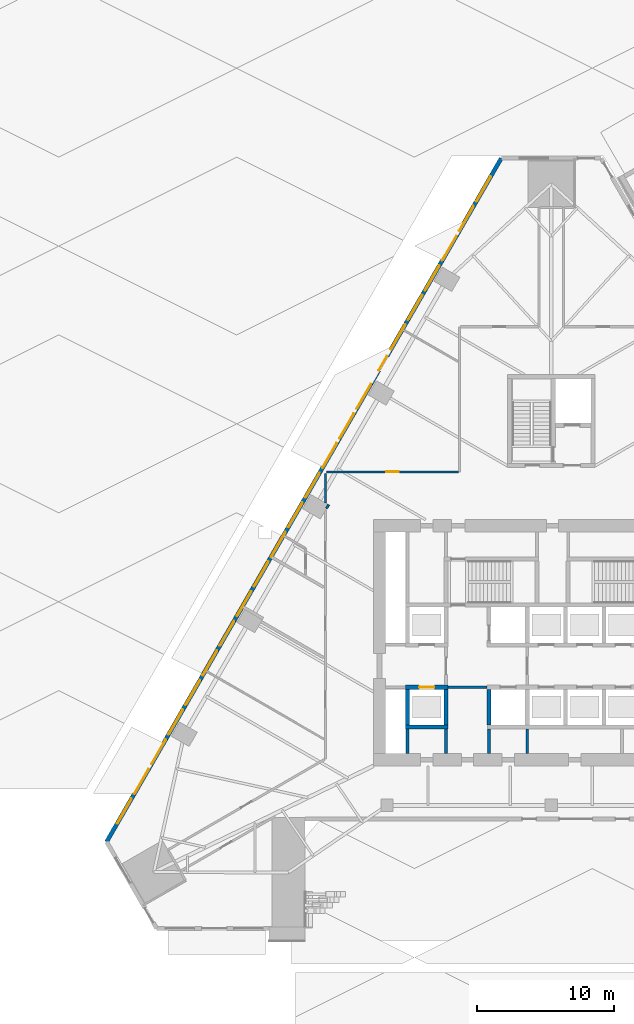
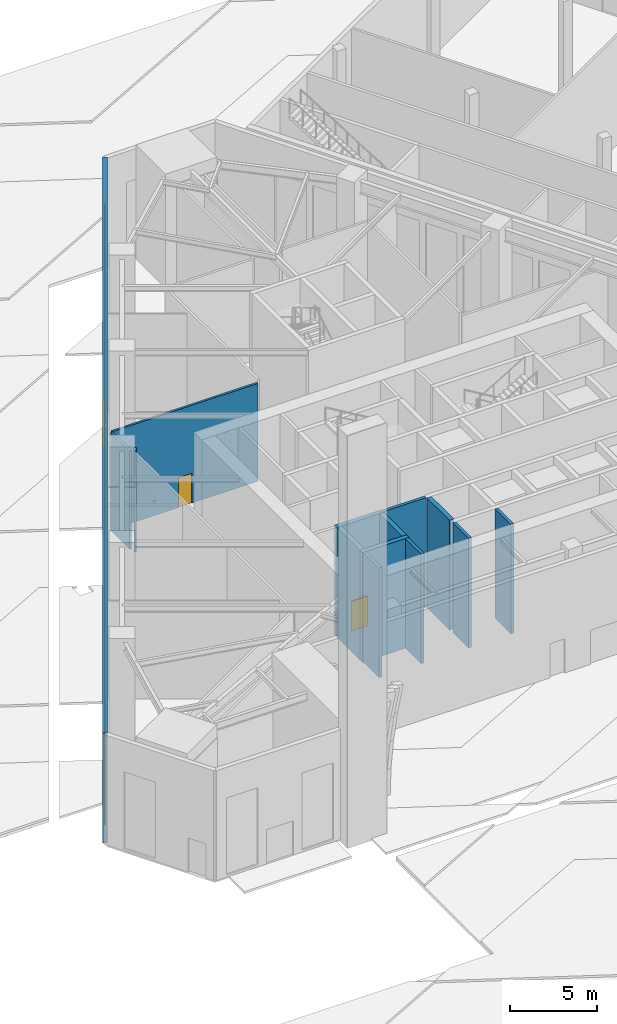
# One storey, part 13 of 34: 21 windows, 14 walls, 3 doors, 24 openings.
"""IFC4 building model written with IfcOpenShell, lengths in metres."""

from ifc_helpers import new_model, si_unit, direction, frame, frame_2d, origin, place, context, subcontext, project, spatial, rectangle, extrude, material, layer, layer_set, type_object, element, fill, save


model = new_model("IFC4")

# Units and contexts
model_context = context("Model", 3, precision=1e-05, world=origin(), true_north=direction((0.0, 1.0)))
body_context = subcontext(model_context, "Body", "Model", "MODEL_VIEW")
ifc_project = project(units=[si_unit("LENGTHUNIT", "METRE"), si_unit("AREAUNIT", "SQUARE_METRE"), si_unit("VOLUMEUNIT", "CUBIC_METRE"), si_unit("PLANEANGLEUNIT", "RADIAN"), si_unit("MASSUNIT", "GRAM", prefix="KILO")], contexts=[model_context])

# Site, building, storey
site_placement = place(None, origin())
site = spatial("IfcSite", under=ifc_project, at=site_placement, CompositionType="ELEMENT")
building_placement = place(site_placement, origin())
building = spatial("IfcBuilding", under=site, at=building_placement, Name="Firuza Gate Tower and Library", CompositionType="ELEMENT")
storey_placement = place(building_placement, origin())
storey = spatial("IfcBuildingStorey", under=building, at=storey_placement, Name="L00", CompositionType="ELEMENT", Elevation=0.0)

# Walls
ifc_material_1 = material(Name="Plasterboard on steel studs", Category="steel")
ifc_layer_1 = layer(ifc_material_1, 0.199951171875)
ifc_layer_set_1 = layer_set([ifc_layer_1], Name="Core partition 200 EI 120")
wall_type_1 = type_object("IfcWallType", Name="Core partition 200 EI 120", PredefinedType="PARTITIONING", material=ifc_layer_set_1)
wall_1_placement = place(storey_placement, frame((67.449951171875, 71.75, 0.0), z_axis=(0.0, 0.0, 1.0), x_axis=(1.0, 0.0, 0.0)))
element("IfcWall", 1, at=wall_1_placement, inside=storey, type_object=wall_type_1, Name="Core partition L00 2", PredefinedType="PARTITIONING", context=body_context, shape_type="SweptSolid", body=[
    extrude(rectangle(XDim=2.85009765625, YDim=0.199951171875, at=frame_2d((1.425048828125, 0.0))), origin(), (0.0, 0.0, 1.0), 7.699951171875),
])
for number, where, z_axis, x_axis, name in (
    (2, (64.5, 66.89990234375, 0.0), (0.0, 0.0, 1.0), (0.0, 1.0, 0.0), "Core partition L00 5"),
    (3, (67.300048828125, 66.89990234375, 0.0), (0.0, 0.0, 1.0), (0.0, 1.0, 0.0), "Core partition L00 7"),
    (4, (70.449951171875, 66.89990234375, 0.0), (0.0, 0.0, 1.0), (0.0, 1.0, 0.0), "Core partition L00 10"),
    (5, (73.25, 66.89990234375, 0.0), (0.0, 0.0, 1.0), (0.0, 1.0, 0.0), "Core partition L00 11"),
):
    element("IfcWall", number, at=place(storey_placement, frame(where, z_axis=z_axis, x_axis=x_axis)), inside=storey, type_object=wall_type_1, Name=name, PredefinedType="PARTITIONING", context=body_context, shape_type="SweptSolid", body=[
        extrude(rectangle(XDim=1.800048828125, YDim=0.199951171875, at=frame_2d((0.89990234375, 0.0))), origin(), (0.0, 0.0, 1.0), 7.699951171875),
    ])
ifc_material_2 = material(Name="Concrete C80/95", Category="concrete")
ifc_layer_2 = layer(ifc_material_2, 0.300048828125)
ifc_layer_set_2 = layer_set([ifc_layer_2], Name="Core wall 300 C80/95")
wall_type_2 = type_object("IfcWallType", Name="Core wall 300 C80/95", PredefinedType="SHEAR", material=ifc_layer_set_2)
wall_2_placement = place(storey_placement, frame((64.35009765625, 68.85009765625, 0.0), z_axis=(0.0, 0.0, 1.0), x_axis=(1.0, 0.0, 0.0)))
element("IfcWall", 6, at=wall_2_placement, inside=storey, type_object=wall_type_2, Name="Core wall L00 5", PredefinedType="SHEAR", context=body_context, shape_type="SweptSolid", body=[
    extrude(rectangle(XDim=3.099853515625, YDim=0.300048828125, at=frame_2d((1.5498046875, 0.0))), origin(), (0.0, 0.0, 1.0), 7.699951171875),
])

# Wall, opening, door
wall_3_placement = place(storey_placement, frame((64.35009765625, 71.75, 0.0), z_axis=(0.0, 0.0, 1.0), x_axis=(1.0, 0.0, 0.0)))
wall_3 = element("IfcWall", 7, at=wall_3_placement, inside=storey, type_object=wall_type_2, Name="Core wall L00 7", PredefinedType="SHEAR", context=body_context, shape_type="SweptSolid", body=[
    extrude(rectangle(XDim=3.099853515625, YDim=0.300048828125, at=frame_2d((1.5498046875, 0.0))), origin(), (0.0, 0.0, 1.0), 7.699951171875),
])
opening_1_placement = place(wall_3_placement, frame((1.0, 0.0, 0.0)))
opening_1 = element("IfcOpeningElement", 8, at=opening_1_placement, cuts=wall_3, Name="Opening LD-SA1-L00", PredefinedType="OPENING", context=body_context, shape_type="SweptSolid", body=[
    extrude(rectangle(XDim=1.10009765625, YDim=2.10009765625, at=frame_2d((0.550048828125, 1.050048828125))), frame((0.0, 0.16015625, 0.0), z_axis=(0.0, -1.0, 0.0), x_axis=(1.0, 0.0, 0.0)), (0.0, 0.0, 1.0), 0.320068359375),
])
ifc_material_3 = material(Name="Stainless steel", Category="steel")
door_type_1 = type_object("IfcDoorType", Name="Lift landing door 1100x2100", OperationType="DOUBLE_DOOR_SLIDING", PredefinedType="DOOR", material=ifc_material_3)
door_1_placement = place(opening_1_placement, origin())
door_1 = element("IfcDoor", 9, at=door_1_placement, inside=storey, type_object=door_type_1, Name="Landing door SA1 L00", OperationType="DOUBLE_DOOR_SLIDING", OverallHeight=2.10009765625, OverallWidth=1.10009765625, PredefinedType="DOOR", context=body_context, shape_type="SweptSolid", body=[
    extrude(rectangle(XDim=1.10009765625, YDim=2.10009765625, at=frame_2d((0.550048828125, 1.050048828125))), frame((0.0, 0.02490234375, 0.0), z_axis=(0.0, -1.0, 0.0), x_axis=(1.0, 0.0, 0.0)), (0.0, 0.0, 1.0), 0.050048828125),
])
fill(opening_1, door_1)

# Walls
for number, where, z_axis, x_axis, name in (
    (10, (64.5, 69.0, 0.0), (0.0, 0.0, 1.0), (0.0, 1.0, 0.0), "Core wall L00 11"),
    (11, (67.300048828125, 69.0, 0.0), (0.0, 0.0, 1.0), (0.0, 1.0, 0.0), "Core wall L00 13"),
    (12, (70.449951171875, 69.0, 0.0), (0.0, 0.0, 1.0), (0.0, 1.0, 0.0), "Core wall L00 15"),
):
    element("IfcWall", number, at=place(storey_placement, frame(where, z_axis=z_axis, x_axis=x_axis)), inside=storey, type_object=wall_type_2, Name=name, PredefinedType="SHEAR", context=body_context, shape_type="SweptSolid", body=[
        extrude(rectangle(XDim=2.60009765625, YDim=0.300048828125, at=frame_2d((1.300048828125, 0.0))), origin(), (0.0, 0.0, 1.0), 7.699951171875),
    ])

# Wall, opening, door
ifc_material_4 = material(Name="Gypsum board partition")
ifc_layer_3 = layer(ifc_material_4, 0.14990234375)
ifc_layer_set_3 = layer_set([ifc_layer_3], Name="Corridor wall 150 double board on steel studs")
wall_type_3 = type_object("IfcWallType", Name="Corridor wall 150 double board on steel studs", PredefinedType="PARTITIONING", material=ifc_layer_set_3)
wall_4_placement = place(storey_placement, frame((58.563232421875, 87.5, 0.0), z_axis=(0.0, 0.0, 1.0), x_axis=(1.0, 0.0, 0.0)))
wall_4 = element("IfcWall", 13, at=wall_4_placement, inside=storey, type_object=wall_type_3, Name="f:L00:w000", PredefinedType="PARTITIONING", context=body_context, shape_type="SweptSolid", body=[
    extrude(rectangle(XDim=9.661865234375, YDim=0.14990234375, at=frame_2d((4.8310546875, 0.0))), origin(), (0.0, 0.0, 1.0), 6.864990234375),
])
opening_2_placement = place(wall_4_placement, frame((4.380859375, 0.0, 0.0)))
opening_2 = element("IfcOpeningElement", 14, at=opening_2_placement, cuts=wall_4, Name="Opening L00-01", PredefinedType="OPENING", context=body_context, shape_type="SweptSolid", body=[
    extrude(rectangle(XDim=0.89990234375, YDim=2.10009765625, at=frame_2d((0.449951171875, 1.050048828125))), frame((0.0, 0.0849609375, 0.0), z_axis=(0.0, -1.0, 0.0), x_axis=(1.0, 0.0, 0.0)), (0.0, 0.0, 1.0), 0.169921875),
])
ifc_material_5 = material(Name="Steel door and timber leaf", Category="steel")
door_type_2 = type_object("IfcDoorType", Name="Fire door 900 x 2100 steel frame, timber leaf", OperationType="NOTDEFINED", PredefinedType="DOOR", material=ifc_material_5)
door_2_placement = place(opening_2_placement, origin())
door_2 = element("IfcDoor", 15, at=door_2_placement, inside=storey, type_object=door_type_2, Name="f:L00:d001", OperationType="SINGLE_SWING_LEFT", OverallHeight=2.10009765625, OverallWidth=0.89990234375, PredefinedType="DOOR", context=body_context, shape_type="SweptSolid", body=[
    extrude(rectangle(XDim=0.89990234375, YDim=2.10009765625, at=frame_2d((0.449951171875, 1.050048828125))), frame((0.0, 0.02490234375, 0.0), z_axis=(0.0, -1.0, 0.0), x_axis=(1.0, 0.0, 0.0)), (0.0, 0.0, 1.0), 0.050048828125),
])
fill(opening_2, door_2)

# Walls
wall_5_placement = place(storey_placement, frame((58.57470703125, 84.820556640625, 0.0), z_axis=(0.0, 0.0, 1.0), x_axis=(0.500317227461, 0.865842174941, 0.0)))
element("IfcWall", 16, at=wall_5_placement, inside=storey, type_object=wall_type_3, Name="f:L00:w014", PredefinedType="PARTITIONING", context=body_context, shape_type="SweptSolid", body=[
    extrude(rectangle(XDim=0.307861328125, YDim=0.14990234375, at=frame_2d((0.15380859375, 0.0))), origin(), (0.0, 0.0, 1.0), 7.10009765625),
])
wall_6_placement = place(storey_placement, frame((58.5, 85.219482421875, 0.0), z_axis=(0.0, 0.0, 1.0), x_axis=(0.0, 1.0, 0.0)))
element("IfcWall", 17, at=wall_6_placement, inside=storey, type_object=wall_type_3, Name="f:L00:w024", PredefinedType="PARTITIONING", context=body_context, shape_type="SweptSolid", body=[
    extrude(rectangle(XDim=2.169921875, YDim=0.14990234375, at=frame_2d((1.0849609375, 0.0))), origin(), (0.0, 0.0, 1.0), 6.864990234375),
])

# Wall, openings, door, windows
ifc_material_6 = material(Name="Concrete C40/50", Category="concrete")
ifc_layer_4 = layer(ifc_material_6, 0.300048828125)
ifc_layer_set_4 = layer_set([ifc_layer_4], Name="Shopfront wall 300")
wall_type_4 = type_object("IfcWallType", Name="Shopfront wall 300", PredefinedType="SOLIDWALL", material=ifc_layer_set_4)
wall_7_placement = place(storey_placement, frame((71.34814453125, 110.423828125, 0.0), z_axis=(0.0, 0.0, 1.0), x_axis=(-0.500000550228, -0.86602508611, 0.0)))
wall_7 = element("IfcWall", 18, at=wall_7_placement, inside=storey, type_object=wall_type_4, Name="Shopfront wall 9", PredefinedType="SOLIDWALL", context=body_context, shape_type="SweptSolid", body=[
    extrude(rectangle(XDim=57.7041015625, YDim=0.300048828125, at=frame_2d((28.85205078125, 0.0))), origin(), (0.0, 0.0, 1.0), 7.699951171875),
])
opening_3_placement = place(wall_7_placement, frame((16.711181640625, 0.0, 0.0)))
opening_3 = element("IfcOpeningElement", 19, at=opening_3_placement, cuts=wall_7, Name="Opening DR4-002", PredefinedType="OPENING", context=body_context, shape_type="SweptSolid", body=[
    extrude(rectangle(XDim=1.199951171875, YDim=2.39990234375, at=frame_2d((0.60009765625, 1.199951171875))), frame((0.0, 0.16015625, 0.0), z_axis=(0.0, -1.0, 0.0), x_axis=(1.0, 0.0, 0.0)), (0.0, 0.0, 1.0), 0.320068359375),
])
opening_4_placement = place(wall_7_placement, frame((1.552001953125, 0.0, 0.14990234375)))
opening_4 = element("IfcOpeningElement", 20, at=opening_4_placement, cuts=wall_7, Name="Opening WD2-028", PredefinedType="OPENING", context=body_context, shape_type="SweptSolid", body=[
    extrude(rectangle(XDim=2.10009765625, YDim=5.39990234375, at=frame_2d((1.050048828125, 2.699951171875))), frame((0.0, 0.16015625, 0.0), z_axis=(0.0, -1.0, 0.0), x_axis=(1.0, 0.0, 0.0)), (0.0, 0.0, 1.0), 0.320068359375),
])
opening_5_placement = place(wall_7_placement, frame((4.052001953125, 0.0, 0.14990234375)))
opening_5 = element("IfcOpeningElement", 21, at=opening_5_placement, cuts=wall_7, Name="Opening WD2-029", PredefinedType="OPENING", context=body_context, shape_type="SweptSolid", body=[
    extrude(rectangle(XDim=2.10009765625, YDim=5.39990234375, at=frame_2d((1.050048828125, 2.699951171875))), frame((0.0, 0.16015625, 0.0), z_axis=(0.0, -1.0, 0.0), x_axis=(1.0, 0.0, 0.0)), (0.0, 0.0, 1.0), 0.320068359375),
])
opening_6_placement = place(wall_7_placement, frame((6.552001953125, 0.0, 0.14990234375)))
opening_6 = element("IfcOpeningElement", 22, at=opening_6_placement, cuts=wall_7, Name="Opening WD2-030", PredefinedType="OPENING", context=body_context, shape_type="SweptSolid", body=[
    extrude(rectangle(XDim=2.10009765625, YDim=5.39990234375, at=frame_2d((1.050048828125, 2.699951171875))), frame((0.0, 0.16015625, 0.0), z_axis=(0.0, -1.0, 0.0), x_axis=(1.0, 0.0, 0.0)), (0.0, 0.0, 1.0), 0.320068359375),
])
opening_7_placement = place(wall_7_placement, frame((9.052001953125, 0.0, 0.14990234375)))
opening_7 = element("IfcOpeningElement", 23, at=opening_7_placement, cuts=wall_7, Name="Opening WD2-031", PredefinedType="OPENING", context=body_context, shape_type="SweptSolid", body=[
    extrude(rectangle(XDim=2.10009765625, YDim=5.39990234375, at=frame_2d((1.050048828125, 2.699951171875))), frame((0.0, 0.16015625, 0.0), z_axis=(0.0, -1.0, 0.0), x_axis=(1.0, 0.0, 0.0)), (0.0, 0.0, 1.0), 0.320068359375),
])
opening_8_placement = place(wall_7_placement, frame((11.552001953125, 0.0, 0.14990234375)))
opening_8 = element("IfcOpeningElement", 24, at=opening_8_placement, cuts=wall_7, Name="Opening WD2-032", PredefinedType="OPENING", context=body_context, shape_type="SweptSolid", body=[
    extrude(rectangle(XDim=2.10009765625, YDim=5.39990234375, at=frame_2d((1.050048828125, 2.699951171875))), frame((0.0, 0.16015625, 0.0), z_axis=(0.0, -1.0, 0.0), x_axis=(1.0, 0.0, 0.0)), (0.0, 0.0, 1.0), 0.320068359375),
])
opening_9_placement = place(wall_7_placement, frame((14.052001953125, 0.0, 0.14990234375)))
opening_9 = element("IfcOpeningElement", 25, at=opening_9_placement, cuts=wall_7, Name="Opening WD2-033", PredefinedType="OPENING", context=body_context, shape_type="SweptSolid", body=[
    extrude(rectangle(XDim=2.10009765625, YDim=5.39990234375, at=frame_2d((1.050048828125, 2.699951171875))), frame((0.0, 0.16015625, 0.0), z_axis=(0.0, -1.0, 0.0), x_axis=(1.0, 0.0, 0.0)), (0.0, 0.0, 1.0), 0.320068359375),
])
opening_10_placement = place(wall_7_placement, frame((19.052001953125, 0.0, 0.14990234375)))
opening_10 = element("IfcOpeningElement", 26, at=opening_10_placement, cuts=wall_7, Name="Opening WD2-034", PredefinedType="OPENING", context=body_context, shape_type="SweptSolid", body=[
    extrude(rectangle(XDim=2.10009765625, YDim=5.39990234375, at=frame_2d((1.050048828125, 2.699951171875))), frame((0.0, 0.16015625, 0.0), z_axis=(0.0, -1.0, 0.0), x_axis=(1.0, 0.0, 0.0)), (0.0, 0.0, 1.0), 0.320068359375),
])
opening_11_placement = place(wall_7_placement, frame((21.552001953125, 0.0, 0.14990234375)))
opening_11 = element("IfcOpeningElement", 27, at=opening_11_placement, cuts=wall_7, Name="Opening WD2-035", PredefinedType="OPENING", context=body_context, shape_type="SweptSolid", body=[
    extrude(rectangle(XDim=2.10009765625, YDim=5.39990234375, at=frame_2d((1.050048828125, 2.699951171875))), frame((0.0, 0.16015625, 0.0), z_axis=(0.0, -1.0, 0.0), x_axis=(1.0, 0.0, 0.0)), (0.0, 0.0, 1.0), 0.320068359375),
])
opening_12_placement = place(wall_7_placement, frame((24.052001953125, 0.0, 0.14990234375)))
opening_12 = element("IfcOpeningElement", 28, at=opening_12_placement, cuts=wall_7, Name="Opening WD2-036", PredefinedType="OPENING", context=body_context, shape_type="SweptSolid", body=[
    extrude(rectangle(XDim=2.10009765625, YDim=5.39990234375, at=frame_2d((1.050048828125, 2.699951171875))), frame((0.0, 0.16015625, 0.0), z_axis=(0.0, -1.0, 0.0), x_axis=(1.0, 0.0, 0.0)), (0.0, 0.0, 1.0), 0.320068359375),
])
opening_13_placement = place(wall_7_placement, frame((26.552001953125, 0.0, 0.14990234375)))
opening_13 = element("IfcOpeningElement", 29, at=opening_13_placement, cuts=wall_7, Name="Opening WD2-037", PredefinedType="OPENING", context=body_context, shape_type="SweptSolid", body=[
    extrude(rectangle(XDim=2.10009765625, YDim=5.39990234375, at=frame_2d((1.050048828125, 2.699951171875))), frame((0.0, 0.16015625, 0.0), z_axis=(0.0, -1.0, 0.0), x_axis=(1.0, 0.0, 0.0)), (0.0, 0.0, 1.0), 0.320068359375),
])
opening_14_placement = place(wall_7_placement, frame((29.052001953125, 0.0, 0.14990234375)))
opening_14 = element("IfcOpeningElement", 30, at=opening_14_placement, cuts=wall_7, Name="Opening WD2-038", PredefinedType="OPENING", context=body_context, shape_type="SweptSolid", body=[
    extrude(rectangle(XDim=2.10009765625, YDim=5.39990234375, at=frame_2d((1.050048828125, 2.699951171875))), frame((0.0, 0.16015625, 0.0), z_axis=(0.0, -1.0, 0.0), x_axis=(1.0, 0.0, 0.0)), (0.0, 0.0, 1.0), 0.320068359375),
])
opening_15_placement = place(wall_7_placement, frame((31.552001953125, 0.0, 0.14990234375)))
opening_15 = element("IfcOpeningElement", 31, at=opening_15_placement, cuts=wall_7, Name="Opening WD2-039", PredefinedType="OPENING", context=body_context, shape_type="SweptSolid", body=[
    extrude(rectangle(XDim=2.10009765625, YDim=5.39990234375, at=frame_2d((1.050048828125, 2.699951171875))), frame((0.0, 0.16015625, 0.0), z_axis=(0.0, -1.0, 0.0), x_axis=(1.0, 0.0, 0.0)), (0.0, 0.0, 1.0), 0.320068359375),
])
opening_16_placement = place(wall_7_placement, frame((34.052001953125, 0.0, 0.14990234375)))
opening_16 = element("IfcOpeningElement", 32, at=opening_16_placement, cuts=wall_7, Name="Opening WD2-040", PredefinedType="OPENING", context=body_context, shape_type="SweptSolid", body=[
    extrude(rectangle(XDim=2.10009765625, YDim=5.39990234375, at=frame_2d((1.050048828125, 2.699951171875))), frame((0.0, 0.16015625, 0.0), z_axis=(0.0, -1.0, 0.0), x_axis=(1.0, 0.0, 0.0)), (0.0, 0.0, 1.0), 0.320068359375),
])
opening_17_placement = place(wall_7_placement, frame((36.552001953125, 0.0, 0.14990234375)))
opening_17 = element("IfcOpeningElement", 33, at=opening_17_placement, cuts=wall_7, Name="Opening WD2-041", PredefinedType="OPENING", context=body_context, shape_type="SweptSolid", body=[
    extrude(rectangle(XDim=2.10009765625, YDim=5.39990234375, at=frame_2d((1.050048828125, 2.699951171875))), frame((0.0, 0.16015625, 0.0), z_axis=(0.0, -1.0, 0.0), x_axis=(1.0, 0.0, 0.0)), (0.0, 0.0, 1.0), 0.320068359375),
])
opening_18_placement = place(wall_7_placement, frame((39.052001953125, 0.0, 0.14990234375)))
opening_18 = element("IfcOpeningElement", 34, at=opening_18_placement, cuts=wall_7, Name="Opening WD2-042", PredefinedType="OPENING", context=body_context, shape_type="SweptSolid", body=[
    extrude(rectangle(XDim=2.10009765625, YDim=5.39990234375, at=frame_2d((1.050048828125, 2.699951171875))), frame((0.0, 0.16015625, 0.0), z_axis=(0.0, -1.0, 0.0), x_axis=(1.0, 0.0, 0.0)), (0.0, 0.0, 1.0), 0.320068359375),
])
opening_19_placement = place(wall_7_placement, frame((41.552001953125, 0.0, 0.14990234375)))
opening_19 = element("IfcOpeningElement", 35, at=opening_19_placement, cuts=wall_7, Name="Opening WD2-043", PredefinedType="OPENING", context=body_context, shape_type="SweptSolid", body=[
    extrude(rectangle(XDim=2.10009765625, YDim=5.39990234375, at=frame_2d((1.050048828125, 2.699951171875))), frame((0.0, 0.16015625, 0.0), z_axis=(0.0, -1.0, 0.0), x_axis=(1.0, 0.0, 0.0)), (0.0, 0.0, 1.0), 0.320068359375),
])
opening_20_placement = place(wall_7_placement, frame((44.052001953125, 0.0, 0.14990234375)))
opening_20 = element("IfcOpeningElement", 36, at=opening_20_placement, cuts=wall_7, Name="Opening WD2-044", PredefinedType="OPENING", context=body_context, shape_type="SweptSolid", body=[
    extrude(rectangle(XDim=2.10009765625, YDim=5.39990234375, at=frame_2d((1.050048828125, 2.699951171875))), frame((0.0, 0.16015625, 0.0), z_axis=(0.0, -1.0, 0.0), x_axis=(1.0, 0.0, 0.0)), (0.0, 0.0, 1.0), 0.320068359375),
])
opening_21_placement = place(wall_7_placement, frame((46.552001953125, 0.0, 0.14990234375)))
opening_21 = element("IfcOpeningElement", 37, at=opening_21_placement, cuts=wall_7, Name="Opening WD2-045", PredefinedType="OPENING", context=body_context, shape_type="SweptSolid", body=[
    extrude(rectangle(XDim=2.10009765625, YDim=5.39990234375, at=frame_2d((1.050048828125, 2.699951171875))), frame((0.0, 0.16015625, 0.0), z_axis=(0.0, -1.0, 0.0), x_axis=(1.0, 0.0, 0.0)), (0.0, 0.0, 1.0), 0.320068359375),
])
opening_22_placement = place(wall_7_placement, frame((49.052001953125, 0.0, 0.14990234375)))
opening_22 = element("IfcOpeningElement", 38, at=opening_22_placement, cuts=wall_7, Name="Opening WD2-046", PredefinedType="OPENING", context=body_context, shape_type="SweptSolid", body=[
    extrude(rectangle(XDim=2.10009765625, YDim=5.39990234375, at=frame_2d((1.050048828125, 2.699951171875))), frame((0.0, 0.16015625, 0.0), z_axis=(0.0, -1.0, 0.0), x_axis=(1.0, 0.0, 0.0)), (0.0, 0.0, 1.0), 0.320068359375),
])
opening_23_placement = place(wall_7_placement, frame((51.552001953125, 0.0, 0.14990234375)))
opening_23 = element("IfcOpeningElement", 39, at=opening_23_placement, cuts=wall_7, Name="Opening WD2-047", PredefinedType="OPENING", context=body_context, shape_type="SweptSolid", body=[
    extrude(rectangle(XDim=2.10009765625, YDim=5.39990234375, at=frame_2d((1.050048828125, 2.699951171875))), frame((0.0, 0.16015625, 0.0), z_axis=(0.0, -1.0, 0.0), x_axis=(1.0, 0.0, 0.0)), (0.0, 0.0, 1.0), 0.320068359375),
])
opening_24_placement = place(wall_7_placement, frame((54.052001953125, 0.0, 0.14990234375)))
opening_24 = element("IfcOpeningElement", 40, at=opening_24_placement, cuts=wall_7, Name="Opening WD2-048", PredefinedType="OPENING", context=body_context, shape_type="SweptSolid", body=[
    extrude(rectangle(XDim=2.10009765625, YDim=5.39990234375, at=frame_2d((1.050048828125, 2.699951171875))), frame((0.0, 0.16015625, 0.0), z_axis=(0.0, -1.0, 0.0), x_axis=(1.0, 0.0, 0.0)), (0.0, 0.0, 1.0), 0.320068359375),
])
ifc_material_7 = material(Name="Steel S355 and ceramic coating", Category="steel")
door_type_3 = type_object("IfcDoorType", Name="Service door 1200x2400", OperationType="NOTDEFINED", PredefinedType="DOOR", material=ifc_material_7)
door_3_placement = place(opening_3_placement, origin())
door_3 = element("IfcDoor", 41, at=door_3_placement, inside=storey, type_object=door_type_3, Name="Door DR4-9.1", OperationType="SINGLE_SWING_RIGHT", OverallHeight=2.39990234375, OverallWidth=1.199951171875, PredefinedType="DOOR", context=body_context, shape_type="SweptSolid", body=[
    extrude(rectangle(XDim=1.199951171875, YDim=2.39990234375, at=frame_2d((0.60009765625, 1.199951171875))), frame((0.0, 0.02490234375, 0.0), z_axis=(0.0, -1.0, 0.0), x_axis=(1.0, 0.0, 0.0)), (0.0, 0.0, 1.0), 0.050048828125),
])
fill(opening_3, door_3)
ifc_material_8 = material(Name="Aluminium 6063-T6 and glass", Category="aluminium")
window_type = type_object("IfcWindowType", Name="Shopfront window 2100x5400", PartitioningType="SINGLE_PANEL", PredefinedType="WINDOW", material=ifc_material_8)
window_1_placement = place(opening_4_placement, origin())
window_1 = element("IfcWindow", 42, at=window_1_placement, inside=storey, type_object=window_type, Name="e:wall:L00:8/W0", OverallHeight=5.39990234375, OverallWidth=2.10009765625, PartitioningType="SINGLE_PANEL", PredefinedType="WINDOW", context=body_context, shape_type="SweptSolid", body=[
    extrude(rectangle(XDim=2.10009765625, YDim=5.39990234375, at=frame_2d((1.050048828125, 2.699951171875))), frame((0.0, 0.030029296875, 0.0), z_axis=(0.0, -1.0, 0.0), x_axis=(1.0, 0.0, 0.0)), (0.0, 0.0, 1.0), 0.06005859375),
])
fill(opening_4, window_1)
window_2_placement = place(opening_5_placement, origin())
window_2 = element("IfcWindow", 43, at=window_2_placement, inside=storey, type_object=window_type, Name="e:wall:L00:8/W1", OverallHeight=5.39990234375, OverallWidth=2.10009765625, PartitioningType="SINGLE_PANEL", PredefinedType="WINDOW", context=body_context, shape_type="SweptSolid", body=[
    extrude(rectangle(XDim=2.10009765625, YDim=5.39990234375, at=frame_2d((1.050048828125, 2.699951171875))), frame((0.0, 0.030029296875, 0.0), z_axis=(0.0, -1.0, 0.0), x_axis=(1.0, 0.0, 0.0)), (0.0, 0.0, 1.0), 0.06005859375),
])
fill(opening_5, window_2)
window_3_placement = place(opening_6_placement, origin())
window_3 = element("IfcWindow", 44, at=window_3_placement, inside=storey, type_object=window_type, Name="e:wall:L00:8/W2", OverallHeight=5.39990234375, OverallWidth=2.10009765625, PartitioningType="SINGLE_PANEL", PredefinedType="WINDOW", context=body_context, shape_type="SweptSolid", body=[
    extrude(rectangle(XDim=2.10009765625, YDim=5.39990234375, at=frame_2d((1.050048828125, 2.699951171875))), frame((0.0, 0.030029296875, 0.0), z_axis=(0.0, -1.0, 0.0), x_axis=(1.0, 0.0, 0.0)), (0.0, 0.0, 1.0), 0.06005859375),
])
fill(opening_6, window_3)
window_4_placement = place(opening_7_placement, origin())
window_4 = element("IfcWindow", 45, at=window_4_placement, inside=storey, type_object=window_type, Name="e:wall:L00:8/W3", OverallHeight=5.39990234375, OverallWidth=2.10009765625, PartitioningType="SINGLE_PANEL", PredefinedType="WINDOW", context=body_context, shape_type="SweptSolid", body=[
    extrude(rectangle(XDim=2.10009765625, YDim=5.39990234375, at=frame_2d((1.050048828125, 2.699951171875))), frame((0.0, 0.030029296875, 0.0), z_axis=(0.0, -1.0, 0.0), x_axis=(1.0, 0.0, 0.0)), (0.0, 0.0, 1.0), 0.06005859375),
])
fill(opening_7, window_4)
window_5_placement = place(opening_8_placement, origin())
window_5 = element("IfcWindow", 46, at=window_5_placement, inside=storey, type_object=window_type, Name="e:wall:L00:8/W4", OverallHeight=5.39990234375, OverallWidth=2.10009765625, PartitioningType="SINGLE_PANEL", PredefinedType="WINDOW", context=body_context, shape_type="SweptSolid", body=[
    extrude(rectangle(XDim=2.10009765625, YDim=5.39990234375, at=frame_2d((1.050048828125, 2.699951171875))), frame((0.0, 0.030029296875, 0.0), z_axis=(0.0, -1.0, 0.0), x_axis=(1.0, 0.0, 0.0)), (0.0, 0.0, 1.0), 0.06005859375),
])
fill(opening_8, window_5)
window_6_placement = place(opening_9_placement, origin())
window_6 = element("IfcWindow", 47, at=window_6_placement, inside=storey, type_object=window_type, Name="e:wall:L00:8/W5", OverallHeight=5.39990234375, OverallWidth=2.10009765625, PartitioningType="SINGLE_PANEL", PredefinedType="WINDOW", context=body_context, shape_type="SweptSolid", body=[
    extrude(rectangle(XDim=2.10009765625, YDim=5.39990234375, at=frame_2d((1.050048828125, 2.699951171875))), frame((0.0, 0.030029296875, 0.0), z_axis=(0.0, -1.0, 0.0), x_axis=(1.0, 0.0, 0.0)), (0.0, 0.0, 1.0), 0.06005859375),
])
fill(opening_9, window_6)
window_7_placement = place(opening_10_placement, origin())
window_7 = element("IfcWindow", 48, at=window_7_placement, inside=storey, type_object=window_type, Name="e:wall:L00:8/W6", OverallHeight=5.39990234375, OverallWidth=2.10009765625, PartitioningType="SINGLE_PANEL", PredefinedType="WINDOW", context=body_context, shape_type="SweptSolid", body=[
    extrude(rectangle(XDim=2.10009765625, YDim=5.39990234375, at=frame_2d((1.050048828125, 2.699951171875))), frame((0.0, 0.030029296875, 0.0), z_axis=(0.0, -1.0, 0.0), x_axis=(1.0, 0.0, 0.0)), (0.0, 0.0, 1.0), 0.06005859375),
])
fill(opening_10, window_7)
window_8_placement = place(opening_11_placement, origin())
window_8 = element("IfcWindow", 49, at=window_8_placement, inside=storey, type_object=window_type, Name="e:wall:L00:8/W7", OverallHeight=5.39990234375, OverallWidth=2.10009765625, PartitioningType="SINGLE_PANEL", PredefinedType="WINDOW", context=body_context, shape_type="SweptSolid", body=[
    extrude(rectangle(XDim=2.10009765625, YDim=5.39990234375, at=frame_2d((1.050048828125, 2.699951171875))), frame((0.0, 0.030029296875, 0.0), z_axis=(0.0, -1.0, 0.0), x_axis=(1.0, 0.0, 0.0)), (0.0, 0.0, 1.0), 0.06005859375),
])
fill(opening_11, window_8)
window_9_placement = place(opening_12_placement, origin())
window_9 = element("IfcWindow", 50, at=window_9_placement, inside=storey, type_object=window_type, Name="e:wall:L00:8/W8", OverallHeight=5.39990234375, OverallWidth=2.10009765625, PartitioningType="SINGLE_PANEL", PredefinedType="WINDOW", context=body_context, shape_type="SweptSolid", body=[
    extrude(rectangle(XDim=2.10009765625, YDim=5.39990234375, at=frame_2d((1.050048828125, 2.699951171875))), frame((0.0, 0.030029296875, 0.0), z_axis=(0.0, -1.0, 0.0), x_axis=(1.0, 0.0, 0.0)), (0.0, 0.0, 1.0), 0.06005859375),
])
fill(opening_12, window_9)
window_10_placement = place(opening_13_placement, origin())
window_10 = element("IfcWindow", 51, at=window_10_placement, inside=storey, type_object=window_type, Name="e:wall:L00:8/W9", OverallHeight=5.39990234375, OverallWidth=2.10009765625, PartitioningType="SINGLE_PANEL", PredefinedType="WINDOW", context=body_context, shape_type="SweptSolid", body=[
    extrude(rectangle(XDim=2.10009765625, YDim=5.39990234375, at=frame_2d((1.050048828125, 2.699951171875))), frame((0.0, 0.030029296875, 0.0), z_axis=(0.0, -1.0, 0.0), x_axis=(1.0, 0.0, 0.0)), (0.0, 0.0, 1.0), 0.06005859375),
])
fill(opening_13, window_10)
window_11_placement = place(opening_14_placement, origin())
window_11 = element("IfcWindow", 52, at=window_11_placement, inside=storey, type_object=window_type, Name="e:wall:L00:8/W10", OverallHeight=5.39990234375, OverallWidth=2.10009765625, PartitioningType="SINGLE_PANEL", PredefinedType="WINDOW", context=body_context, shape_type="SweptSolid", body=[
    extrude(rectangle(XDim=2.10009765625, YDim=5.39990234375, at=frame_2d((1.050048828125, 2.699951171875))), frame((0.0, 0.030029296875, 0.0), z_axis=(0.0, -1.0, 0.0), x_axis=(1.0, 0.0, 0.0)), (0.0, 0.0, 1.0), 0.06005859375),
])
fill(opening_14, window_11)
window_12_placement = place(opening_15_placement, origin())
window_12 = element("IfcWindow", 53, at=window_12_placement, inside=storey, type_object=window_type, Name="e:wall:L00:8/W11", OverallHeight=5.39990234375, OverallWidth=2.10009765625, PartitioningType="SINGLE_PANEL", PredefinedType="WINDOW", context=body_context, shape_type="SweptSolid", body=[
    extrude(rectangle(XDim=2.10009765625, YDim=5.39990234375, at=frame_2d((1.050048828125, 2.699951171875))), frame((0.0, 0.030029296875, 0.0), z_axis=(0.0, -1.0, 0.0), x_axis=(1.0, 0.0, 0.0)), (0.0, 0.0, 1.0), 0.06005859375),
])
fill(opening_15, window_12)
window_13_placement = place(opening_16_placement, origin())
window_13 = element("IfcWindow", 54, at=window_13_placement, inside=storey, type_object=window_type, Name="e:wall:L00:8/W12", OverallHeight=5.39990234375, OverallWidth=2.10009765625, PartitioningType="SINGLE_PANEL", PredefinedType="WINDOW", context=body_context, shape_type="SweptSolid", body=[
    extrude(rectangle(XDim=2.10009765625, YDim=5.39990234375, at=frame_2d((1.050048828125, 2.699951171875))), frame((0.0, 0.030029296875, 0.0), z_axis=(0.0, -1.0, 0.0), x_axis=(1.0, 0.0, 0.0)), (0.0, 0.0, 1.0), 0.06005859375),
])
fill(opening_16, window_13)
window_14_placement = place(opening_17_placement, origin())
window_14 = element("IfcWindow", 55, at=window_14_placement, inside=storey, type_object=window_type, Name="e:wall:L00:8/W13", OverallHeight=5.39990234375, OverallWidth=2.10009765625, PartitioningType="SINGLE_PANEL", PredefinedType="WINDOW", context=body_context, shape_type="SweptSolid", body=[
    extrude(rectangle(XDim=2.10009765625, YDim=5.39990234375, at=frame_2d((1.050048828125, 2.699951171875))), frame((0.0, 0.030029296875, 0.0), z_axis=(0.0, -1.0, 0.0), x_axis=(1.0, 0.0, 0.0)), (0.0, 0.0, 1.0), 0.06005859375),
])
fill(opening_17, window_14)
window_15_placement = place(opening_18_placement, origin())
window_15 = element("IfcWindow", 56, at=window_15_placement, inside=storey, type_object=window_type, Name="e:wall:L00:8/W14", OverallHeight=5.39990234375, OverallWidth=2.10009765625, PartitioningType="SINGLE_PANEL", PredefinedType="WINDOW", context=body_context, shape_type="SweptSolid", body=[
    extrude(rectangle(XDim=2.10009765625, YDim=5.39990234375, at=frame_2d((1.050048828125, 2.699951171875))), frame((0.0, 0.030029296875, 0.0), z_axis=(0.0, -1.0, 0.0), x_axis=(1.0, 0.0, 0.0)), (0.0, 0.0, 1.0), 0.06005859375),
])
fill(opening_18, window_15)
window_16_placement = place(opening_19_placement, origin())
window_16 = element("IfcWindow", 57, at=window_16_placement, inside=storey, type_object=window_type, Name="e:wall:L00:8/W15", OverallHeight=5.39990234375, OverallWidth=2.10009765625, PartitioningType="SINGLE_PANEL", PredefinedType="WINDOW", context=body_context, shape_type="SweptSolid", body=[
    extrude(rectangle(XDim=2.10009765625, YDim=5.39990234375, at=frame_2d((1.050048828125, 2.699951171875))), frame((0.0, 0.030029296875, 0.0), z_axis=(0.0, -1.0, 0.0), x_axis=(1.0, 0.0, 0.0)), (0.0, 0.0, 1.0), 0.06005859375),
])
fill(opening_19, window_16)
window_17_placement = place(opening_20_placement, origin())
window_17 = element("IfcWindow", 58, at=window_17_placement, inside=storey, type_object=window_type, Name="e:wall:L00:8/W16", OverallHeight=5.39990234375, OverallWidth=2.10009765625, PartitioningType="SINGLE_PANEL", PredefinedType="WINDOW", context=body_context, shape_type="SweptSolid", body=[
    extrude(rectangle(XDim=2.10009765625, YDim=5.39990234375, at=frame_2d((1.050048828125, 2.699951171875))), frame((0.0, 0.030029296875, 0.0), z_axis=(0.0, -1.0, 0.0), x_axis=(1.0, 0.0, 0.0)), (0.0, 0.0, 1.0), 0.06005859375),
])
fill(opening_20, window_17)
window_18_placement = place(opening_21_placement, origin())
window_18 = element("IfcWindow", 59, at=window_18_placement, inside=storey, type_object=window_type, Name="e:wall:L00:8/W17", OverallHeight=5.39990234375, OverallWidth=2.10009765625, PartitioningType="SINGLE_PANEL", PredefinedType="WINDOW", context=body_context, shape_type="SweptSolid", body=[
    extrude(rectangle(XDim=2.10009765625, YDim=5.39990234375, at=frame_2d((1.050048828125, 2.699951171875))), frame((0.0, 0.030029296875, 0.0), z_axis=(0.0, -1.0, 0.0), x_axis=(1.0, 0.0, 0.0)), (0.0, 0.0, 1.0), 0.06005859375),
])
fill(opening_21, window_18)
window_19_placement = place(opening_22_placement, origin())
window_19 = element("IfcWindow", 60, at=window_19_placement, inside=storey, type_object=window_type, Name="e:wall:L00:8/W18", OverallHeight=5.39990234375, OverallWidth=2.10009765625, PartitioningType="SINGLE_PANEL", PredefinedType="WINDOW", context=body_context, shape_type="SweptSolid", body=[
    extrude(rectangle(XDim=2.10009765625, YDim=5.39990234375, at=frame_2d((1.050048828125, 2.699951171875))), frame((0.0, 0.030029296875, 0.0), z_axis=(0.0, -1.0, 0.0), x_axis=(1.0, 0.0, 0.0)), (0.0, 0.0, 1.0), 0.06005859375),
])
fill(opening_22, window_19)
window_20_placement = place(opening_23_placement, origin())
window_20 = element("IfcWindow", 61, at=window_20_placement, inside=storey, type_object=window_type, Name="e:wall:L00:8/W19", OverallHeight=5.39990234375, OverallWidth=2.10009765625, PartitioningType="SINGLE_PANEL", PredefinedType="WINDOW", context=body_context, shape_type="SweptSolid", body=[
    extrude(rectangle(XDim=2.10009765625, YDim=5.39990234375, at=frame_2d((1.050048828125, 2.699951171875))), frame((0.0, 0.030029296875, 0.0), z_axis=(0.0, -1.0, 0.0), x_axis=(1.0, 0.0, 0.0)), (0.0, 0.0, 1.0), 0.06005859375),
])
fill(opening_23, window_20)
window_21_placement = place(opening_24_placement, origin())
window_21 = element("IfcWindow", 62, at=window_21_placement, inside=storey, type_object=window_type, Name="e:wall:L00:8/W20", OverallHeight=5.39990234375, OverallWidth=2.10009765625, PartitioningType="SINGLE_PANEL", PredefinedType="WINDOW", context=body_context, shape_type="SweptSolid", body=[
    extrude(rectangle(XDim=2.10009765625, YDim=5.39990234375, at=frame_2d((1.050048828125, 2.699951171875))), frame((0.0, 0.030029296875, 0.0), z_axis=(0.0, -1.0, 0.0), x_axis=(1.0, 0.0, 0.0)), (0.0, 0.0, 1.0), 0.06005859375),
])
fill(opening_24, window_21)

save(model, "model.ifc")
